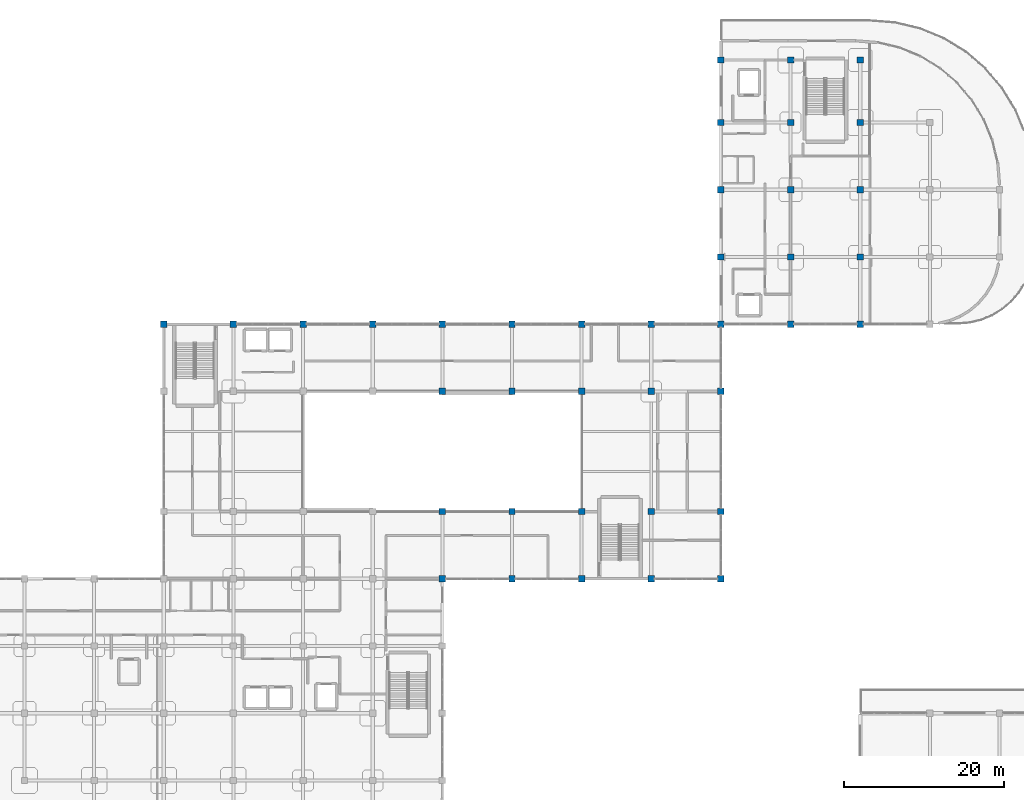
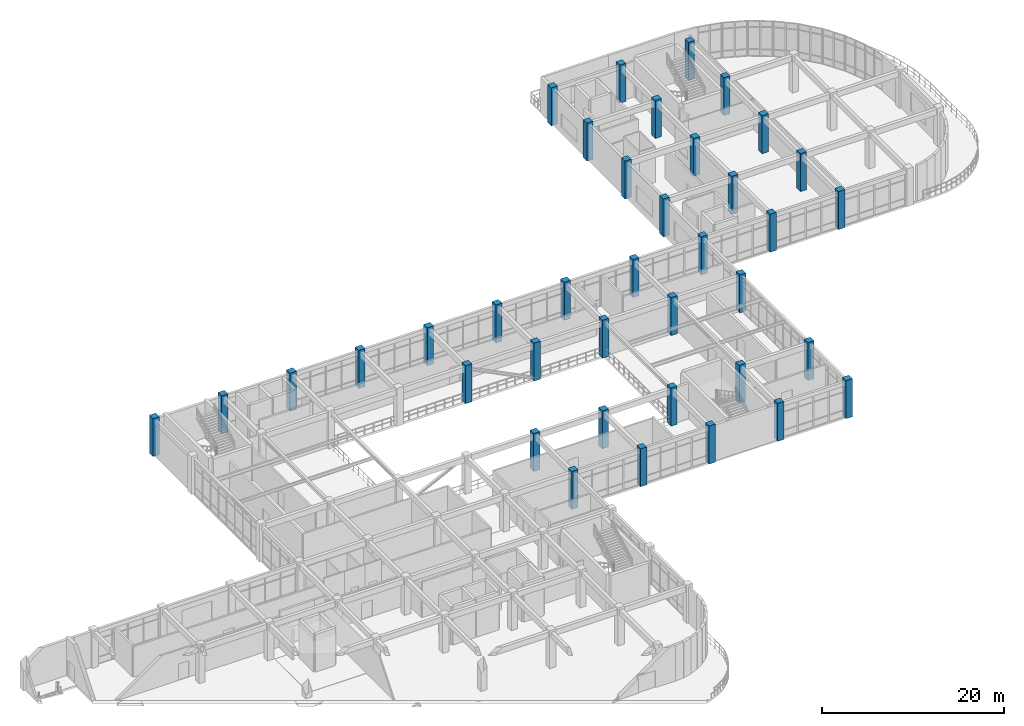
# One storey, part 3 of 96: 38 columns.
"""IFC4 building model written with IfcOpenShell, lengths in metres."""

from ifc_helpers import new_model, si_unit, derived_unit, direction, frame, origin, origin_2d, place, context, subcontext, project, spatial, rectangle, extrude, material, material_profile, profile_set, type_object, element, save


model = new_model("IFC4")

# Units and contexts
model_context = context("Model", 3, precision=1e-05, world=origin(), true_north=direction((0.0, 1.0)))
body_context = subcontext(model_context, "Body", "Model", "MODEL_VIEW")
ifc_project = project(units=[si_unit("LENGTHUNIT", "METRE"), si_unit("AREAUNIT", "SQUARE_METRE"), si_unit("VOLUMEUNIT", "CUBIC_METRE"), si_unit("PLANEANGLEUNIT", "RADIAN"), si_unit("MASSUNIT", "GRAM", prefix="KILO"), derived_unit("THERMALTRANSMITTANCEUNIT", [(si_unit("MASSUNIT", "GRAM", prefix="KILO"), 1), (si_unit("TIMEUNIT", "SECOND"), -3), (si_unit("THERMODYNAMICTEMPERATUREUNIT", "KELVIN"), -1)])], contexts=[model_context])

# Site, building, storey
site_placement = place(None, origin())
site = spatial("IfcSite", under=ifc_project, at=site_placement, CompositionType="ELEMENT")
building_placement = place(site_placement, origin())
building = spatial("IfcBuilding", under=site, at=building_placement, Name="Qinzheling Arcade Emporium", CompositionType="ELEMENT")
storey_placement = place(building_placement, frame((0.0, 0.0, 21.60009765625)))
storey = spatial("IfcBuildingStorey", under=building, at=storey_placement, Name="L05", CompositionType="ELEMENT", Elevation=21.60009765625)

# Columns
ifc_material = material(Name="Concrete C40", Category="concrete")
ifc_material_profile = material_profile(ifc_material, rectangle(XDim=0.800048828125, YDim=0.800048828125, at=origin_2d()), Name="RC 800x800", Category="concrete")
ifc_profile_set = profile_set([ifc_material_profile], Name="Concrete C40")
column_type = type_object("IfcColumnType", Name="RC Column 800x800 C40", PredefinedType="COLUMN", material=ifc_profile_set)
for number, where, z_axis, x_axis, name in (
    (1, (34.800048828125, 73.800048828125, 0.0), (0.0, 0.0, 1.0), (1.0, 0.0, 0.0), "Column COL-L05-5-J"),
    (2, (43.5, 73.800048828125, 0.0), (0.0, 0.0, 1.0), (1.0, 0.0, 0.0), "Column COL-L05-6-J"),
    (3, (52.199951171875, 73.800048828125, 0.0), (0.0, 0.0, 1.0), (1.0, 0.0, 0.0), "Column COL-L05-7-J"),
    (4, (60.89990234375, 73.800048828125, 0.0), (0.0, 0.0, 1.0), (1.0, 0.0, 0.0), "Column COL-L05-8-J"),
    (5, (69.60009765625, 42.0, 0.0), (0.0, 0.0, 1.0), (1.0, 0.0, 0.0), "Column COL-L05-9-F"),
    (6, (69.60009765625, 50.39990234375, 0.0), (0.0, 0.0, 1.0), (1.0, 0.0, 0.0), "Column COL-L05-9-G"),
    (7, (69.60009765625, 65.39990234375, 0.0), (0.0, 0.0, 1.0), (1.0, 0.0, 0.0), "Column COL-L05-9-H"),
    (8, (69.60009765625, 73.800048828125, 0.0), (0.0, 0.0, 1.0), (1.0, 0.0, 0.0), "Column COL-L05-9-J"),
    (9, (78.300048828125, 42.0, 0.0), (0.0, 0.0, 1.0), (1.0, 0.0, 0.0), "Column COL-L05-10-F"),
    (10, (78.300048828125, 50.39990234375, 0.0), (0.0, 0.0, 1.0), (1.0, 0.0, 0.0), "Column COL-L05-10-G"),
    (11, (78.300048828125, 65.39990234375, 0.0), (0.0, 0.0, 1.0), (1.0, 0.0, 0.0), "Column COL-L05-10-H"),
    (12, (78.300048828125, 73.800048828125, 0.0), (0.0, 0.0, 1.0), (1.0, 0.0, 0.0), "Column COL-L05-10-J"),
    (13, (87.0, 42.0, 0.0), (0.0, 0.0, 1.0), (1.0, 0.0, 0.0), "Column COL-L05-11-F"),
    (14, (87.0, 50.39990234375, 0.0), (0.0, 0.0, 1.0), (1.0, 0.0, 0.0), "Column COL-L05-11-G"),
    (15, (87.0, 65.39990234375, 0.0), (0.0, 0.0, 1.0), (1.0, 0.0, 0.0), "Column COL-L05-11-H"),
    (16, (87.0, 73.800048828125, 0.0), (0.0, 0.0, 1.0), (1.0, 0.0, 0.0), "Column COL-L05-11-J"),
    (17, (95.699951171875, 42.0, 0.0), (0.0, 0.0, 1.0), (1.0, 0.0, 0.0), "Column COL-L05-12-F"),
    (18, (95.699951171875, 50.39990234375, 0.0), (0.0, 0.0, 1.0), (1.0, 0.0, 0.0), "Column COL-L05-12-G"),
    (19, (95.699951171875, 65.39990234375, 0.0), (0.0, 0.0, 1.0), (1.0, 0.0, 0.0), "Column COL-L05-12-H"),
    (20, (95.699951171875, 73.800048828125, 0.0), (0.0, 0.0, 1.0), (1.0, 0.0, 0.0), "Column COL-L05-12-J"),
    (21, (104.39990234375, 42.0, 0.0), (0.0, 0.0, 1.0), (1.0, 0.0, 0.0), "Column COL-L05-13-F"),
    (22, (104.39990234375, 50.39990234375, 0.0), (0.0, 0.0, 1.0), (1.0, 0.0, 0.0), "Column COL-L05-13-G"),
    (23, (104.39990234375, 65.39990234375, 0.0), (0.0, 0.0, 1.0), (1.0, 0.0, 0.0), "Column COL-L05-13-H"),
    (24, (104.39990234375, 73.800048828125, 0.0), (0.0, 0.0, 1.0), (1.0, 0.0, 0.0), "Column COL-L05-13-J"),
    (25, (104.39990234375, 82.199951171875, 0.0), (0.0, 0.0, 1.0), (1.0, 0.0, 0.0), "Column COL-L05-13-K"),
    (26, (104.39990234375, 90.60009765625, 0.0), (0.0, 0.0, 1.0), (1.0, 0.0, 0.0), "Column COL-L05-13-L"),
    (27, (104.39990234375, 99.0, 0.0), (0.0, 0.0, 1.0), (1.0, 0.0, 0.0), "Column COL-L05-13-M"),
    (28, (104.39990234375, 106.800048828125, 0.0), (0.0, 0.0, 1.0), (1.0, 0.0, 0.0), "Column COL-L05-13-N"),
    (29, (113.10009765625, 73.800048828125, 0.0), (0.0, 0.0, 1.0), (1.0, 0.0, 0.0), "Column COL-L05-14-J"),
    (30, (113.10009765625, 82.199951171875, 0.0), (0.0, 0.0, 1.0), (1.0, 0.0, 0.0), "Column COL-L05-14-K"),
    (31, (113.10009765625, 90.60009765625, 0.0), (0.0, 0.0, 1.0), (1.0, 0.0, 0.0), "Column COL-L05-14-L"),
    (32, (113.10009765625, 99.0, 0.0), (0.0, 0.0, 1.0), (1.0, 0.0, 0.0), "Column COL-L05-14-M"),
    (33, (113.10009765625, 106.800048828125, 0.0), (0.0, 0.0, 1.0), (1.0, 0.0, 0.0), "Column COL-L05-14-N"),
    (34, (121.800048828125, 73.800048828125, 0.0), (0.0, 0.0, 1.0), (1.0, 0.0, 0.0), "Column COL-L05-15-J"),
    (35, (121.800048828125, 82.199951171875, 0.0), (0.0, 0.0, 1.0), (1.0, 0.0, 0.0), "Column COL-L05-15-K"),
    (36, (121.800048828125, 90.60009765625, 0.0), (0.0, 0.0, 1.0), (1.0, 0.0, 0.0), "Column COL-L05-15-L"),
    (37, (121.800048828125, 99.0, 0.0), (0.0, 0.0, 1.0), (1.0, 0.0, 0.0), "Column COL-L05-15-M"),
    (38, (121.800048828125, 106.800048828125, 0.0), (0.0, 0.0, 1.0), (1.0, 0.0, 0.0), "Column COL-L05-15-N"),
):
    element("IfcColumn", number, at=place(storey_placement, frame(where, z_axis=z_axis, x_axis=x_axis)), inside=storey, type_object=column_type, Name=name, PredefinedType="COLUMN", context=body_context, shape_type="SweptSolid", body=[
        extrude(rectangle(XDim=0.800048828125, YDim=0.800048828125, at=origin_2d()), origin(), (0.0, 0.0, 1.0), 5.099853515625),
    ])

save(model, "model.ifc")
